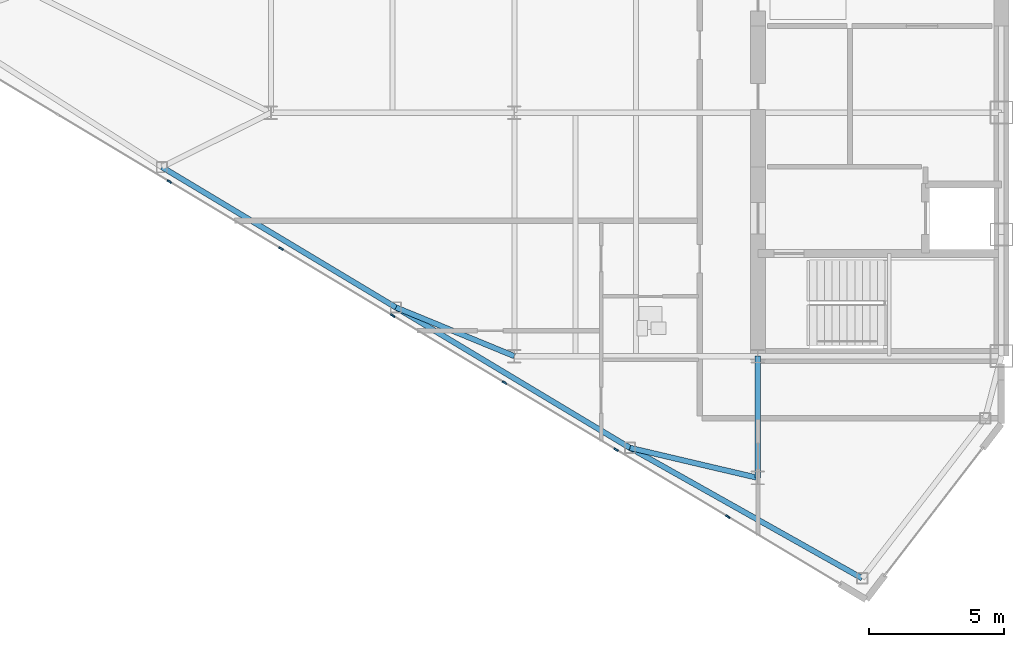
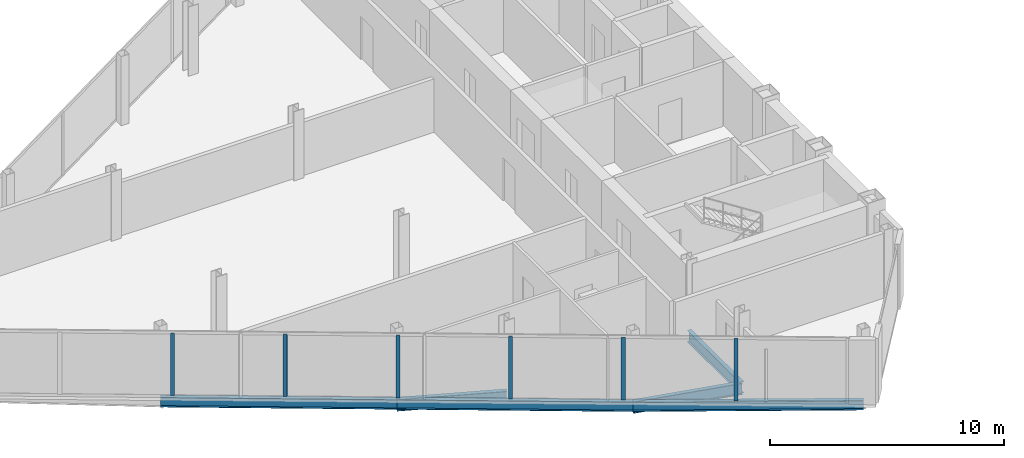
# One storey, part 5 of 25: 6 beams, 6 members, 1 element without a shape of its own.
"""IFC4 building model written with IfcOpenShell, lengths in metres."""

from ifc_helpers import new_model, si_unit, direction, frame, origin, origin_2d, place, context, subcontext, project, spatial, rectangle, i_section, extrude, source, transform, mapped, material, layer, layer_set, material_profile, profile_set, type_object, type_shapes, element, aggregate, save


model = new_model("IFC4")

# Units and contexts
model_context = context("Model", 3, precision=1e-05, world=origin(), true_north=direction((0.0, 1.0)))
body_context = subcontext(model_context, "Body", "Model", "MODEL_VIEW")
ifc_project = project(units=[si_unit("LENGTHUNIT", "METRE"), si_unit("AREAUNIT", "SQUARE_METRE"), si_unit("VOLUMEUNIT", "CUBIC_METRE"), si_unit("PLANEANGLEUNIT", "RADIAN"), si_unit("MASSUNIT", "GRAM", prefix="KILO")], contexts=[model_context])

# Site, building, storey
site_placement = place(None, origin())
site = spatial("IfcSite", under=ifc_project, at=site_placement, CompositionType="ELEMENT")
building_placement = place(site_placement, origin())
building = spatial("IfcBuilding", under=site, at=building_placement, Name="Seokmaru Belvedere", CompositionType="ELEMENT")
storey_placement = place(building_placement, frame((0.0, 0.0, 203.10009765625)))
storey = spatial("IfcBuildingStorey", under=building, at=storey_placement, Name="L54", CompositionType="ELEMENT", Elevation=203.10009765625)

# Beams
ifc_material_1 = material(Name="Steel SM355 (355 MPa)", Category="steel")
ifc_material_profile_1 = material_profile(ifc_material_1, i_section(OverallWidth=0.199951171875, OverallDepth=0.60009765625, WebThickness=0.010986328125, FlangeThickness=0.01708984375, at=origin_2d()), Name="H-600x200x11x17")
ifc_profile_set_1 = profile_set([ifc_material_profile_1], Name="Steel SM355 (355 MPa)")
beam_type_1 = type_object("IfcBeamType", Name="Primary Floor Girder H-600", PredefinedType="BEAM", material=ifc_profile_set_1)
shared_shape_1 = source(origin(), body_context, "Body", "SweptSolid", [
    extrude(i_section(OverallWidth=0.199951171875, OverallDepth=0.60009765625, WebThickness=0.010986328125, FlangeThickness=0.01708984375, at=origin_2d()), origin(), (0.0, 0.0, 1.0), 4.5),
])
beam_1_placement = place(storey_placement, frame((-36.5, -18.0, -0.52001953125), z_axis=(0.0, 1.0, 0.0), x_axis=(-1.0, 0.0, 0.0)))
element("IfcBeam", 1, at=beam_1_placement, inside=storey, type_object=beam_type_1, Name="L54 W Core Shoulder Girder S", PredefinedType="BEAM", context=body_context, shape_type="MappedRepresentation", body=[
    mapped(shared_shape_1, transform((0.0, 0.0, 0.0), scale=1.0)),
])
ifc_material_profile_2 = material_profile(ifc_material_1, i_section(OverallWidth=0.199951171875, OverallDepth=0.5, WebThickness=0.010009765625, FlangeThickness=0.01611328125, at=origin_2d()), Name="H-500x200x10x16")
ifc_profile_set_2 = profile_set([ifc_material_profile_2], Name="Steel SM355 (355 MPa)")
beam_type_2 = type_object("IfcBeamType", Name="Perimeter Spandrel Beam H-500", PredefinedType="SPANDREL", material=ifc_profile_set_2)
shared_shape_2 = source(origin(), body_context, "Body", "SweptSolid", [
    extrude(i_section(OverallWidth=0.199951171875, OverallDepth=0.5, WebThickness=0.010009765625, FlangeThickness=0.01611328125, at=origin_2d()), origin(), (0.0, 0.0, 1.0), 9.842041015625),
])
beam_2_placement = place(storey_placement, frame((-32.649658203125, -21.71044921875, -0.47021484375), z_axis=(-0.871782151818, 0.489893743349, 0.0), x_axis=(-0.489893743349, -0.871782151818, 0.0)))
element("IfcBeam", 2, at=beam_2_placement, inside=storey, type_object=beam_type_2, Name="L54 W Faceted Flank Spandrel S-1", PredefinedType="SPANDREL", context=body_context, shape_type="MappedRepresentation", body=[
    mapped(shared_shape_2, transform((0.0, 0.0, 0.0), scale=1.0)),
])
shared_shape_3 = source(origin(), body_context, "Body", "SweptSolid", [
    extrude(i_section(OverallWidth=0.199951171875, OverallDepth=0.5, WebThickness=0.010009765625, FlangeThickness=0.01611328125, at=origin_2d()), origin(), (0.0, 0.0, 1.0), 10.087646484375),
])
type_shapes(beam_type_2, [shared_shape_2, shared_shape_3])
for number, where, z_axis, x_axis, name in (
    (3, (-41.229736328125, -16.888916015625, -0.47021484375), (-0.857499332045, 0.514485078056, 0.0), (-0.514485078056, -0.857499332045, 0.0), "L54 W Faceted Flank Spandrel S-2"),
    (4, (-49.8798828125, -11.698974609375, -0.47021484375), (-0.857488654804, 0.514502873542, 0.0), (-0.514502873542, -0.857488654804, 0.0), "L54 W Faceted Flank Spandrel S-3"),
):
    element("IfcBeam", number, at=place(storey_placement, frame(where, z_axis=z_axis, x_axis=x_axis)), inside=storey, type_object=beam_type_2, Name=name, PredefinedType="SPANDREL", context=body_context, shape_type="MappedRepresentation", body=[
        mapped(shared_shape_3, transform((0.0, 0.0, 0.0), scale=1.0)),
    ])
shared_shape_4 = source(origin(), body_context, "Body", "SweptSolid", [
    extrude(i_section(OverallWidth=0.199951171875, OverallDepth=0.60009765625, WebThickness=0.010986328125, FlangeThickness=0.01708984375, at=origin_2d()), origin(), (0.0, 0.0, 1.0), 4.8583984375),
])
beam_3_placement = place(storey_placement, frame((-41.229736328125, -16.888916015625, -0.52001953125), z_axis=(0.97349948295, -0.228689214211, 0.0), x_axis=(0.228689214211, 0.97349948295, 0.0)))
element("IfcBeam", 5, at=beam_3_placement, inside=storey, type_object=beam_type_1, Name="L54 W Flank Radial Floor Girder S-1", PredefinedType="BEAM", context=body_context, shape_type="MappedRepresentation", body=[
    mapped(shared_shape_4, transform((0.0, 0.0, 0.0), scale=1.0)),
])
shared_shape_5 = source(origin(), body_context, "Body", "SweptSolid", [
    extrude(i_section(OverallWidth=0.199951171875, OverallDepth=0.60009765625, WebThickness=0.010986328125, FlangeThickness=0.01708984375, at=origin_2d()), origin(), (0.0, 0.0, 1.0), 4.73583984375),
])
type_shapes(beam_type_1, [shared_shape_1, shared_shape_4, shared_shape_5])
beam_4_placement = place(storey_placement, frame((-49.8798828125, -11.698974609375, -0.52001953125), z_axis=(0.924860562953, -0.380306375301, 0.0), x_axis=(0.380306375301, 0.924860562953, 0.0)))
element("IfcBeam", 6, at=beam_4_placement, inside=storey, type_object=beam_type_1, Name="L54 W Flank Radial Floor Girder S-2", PredefinedType="BEAM", context=body_context, shape_type="MappedRepresentation", body=[
    mapped(shared_shape_5, transform((0.0, 0.0, 0.0), scale=1.0)),
])

# Curtain wall, members
ifc_material_2 = material(Name="Bronze Triple Insulating Glass", Category="glass")
ifc_layer = layer(ifc_material_2, 0.179931640625)
ifc_layer_set = layer_set([ifc_layer], Name="Bronze Triple Insulating Glass")
curtain_wall_type = type_object("IfcCurtainWallType", Name="High-Rise Wind-Corner Curtain Wall System CW-5", PredefinedType="NOTDEFINED", material=ifc_layer_set)
curtain_wall_placement = place(storey_placement, origin())
curtain_wall = element("IfcCurtainWall", 7, at=curtain_wall_placement, inside=storey, type_object=curtain_wall_type, Name="L54 Curtain Wall WF5", PredefinedType="NOTDEFINED")
ifc_material_3 = material(Name="Anodised Bronze Aluminium", Category="aluminium")
ifc_material_profile_3 = material_profile(ifc_material_3, rectangle(XDim=0.06494140625, YDim=0.179931640625, at=origin_2d()), Name="CW-M-65x180")
ifc_profile_set_3 = profile_set([ifc_material_profile_3], Name="Anodised Bronze Aluminium")
member_type = type_object("IfcMemberType", Name="Bronze Unitised Mullion 65x180", PredefinedType="MULLION", material=ifc_profile_set_3)
shared_shape_6 = source(origin(), body_context, "Body", "SweptSolid", [
    extrude(rectangle(XDim=0.06494140625, YDim=0.179931640625, at=origin_2d()), origin(), (0.0, 0.0, 1.0), 3.25),
])
type_shapes(member_type, [shared_shape_6])
member_1_placement = place(storey_placement, frame((-58.257080078125, -7.0458984375, 0.06494140625), z_axis=(0.0, 0.0, 1.0), x_axis=(0.514494909364, 0.85749343335, 0.0)))
member_1 = element("IfcMember", 8, at=member_1_placement, type_object=member_type, Name="CW:L54:WF5 Mullion 3", PredefinedType="MULLION", context=body_context, shape_type="MappedRepresentation", body=[
    mapped(shared_shape_6, transform((0.0, 0.0, 0.0), scale=1.0)),
])
member_2_placement = place(storey_placement, frame((-54.12841796875, -9.52294921875, 0.06494140625), z_axis=(0.0, 0.0, 1.0), x_axis=(0.514494909364, 0.85749343335, 0.0)))
member_2 = element("IfcMember", 9, at=member_2_placement, type_object=member_type, Name="CW:L54:WF5 Mullion 4", PredefinedType="MULLION", context=body_context, shape_type="MappedRepresentation", body=[
    mapped(shared_shape_6, transform((0.0, 0.0, 0.0), scale=1.0)),
])
member_3_placement = place(storey_placement, frame((-50.0, -12.0, 0.06494140625), z_axis=(0.0, 0.0, 1.0), x_axis=(0.514494909364, 0.85749343335, 0.0)))
member_3 = element("IfcMember", 10, at=member_3_placement, type_object=member_type, Name="CW:L54:WF5 Mullion 5", PredefinedType="MULLION", context=body_context, shape_type="MappedRepresentation", body=[
    mapped(shared_shape_6, transform((0.0, 0.0, 0.0), scale=1.0)),
])
member_4_placement = place(storey_placement, frame((-45.87158203125, -14.47705078125, 0.06494140625), z_axis=(0.0, 0.0, 1.0), x_axis=(0.514494909364, 0.85749343335, 0.0)))
member_4 = element("IfcMember", 11, at=member_4_placement, type_object=member_type, Name="CW:L54:WF5 Mullion 6", PredefinedType="MULLION", context=body_context, shape_type="MappedRepresentation", body=[
    mapped(shared_shape_6, transform((0.0, 0.0, 0.0), scale=1.0)),
])
member_5_placement = place(storey_placement, frame((-41.742919921875, -16.9541015625, 0.06494140625), z_axis=(0.0, 0.0, 1.0), x_axis=(0.514494909364, 0.85749343335, 0.0)))
member_5 = element("IfcMember", 12, at=member_5_placement, type_object=member_type, Name="CW:L54:WF5 Mullion 7", PredefinedType="MULLION", context=body_context, shape_type="MappedRepresentation", body=[
    mapped(shared_shape_6, transform((0.0, 0.0, 0.0), scale=1.0)),
])
member_6_placement = place(storey_placement, frame((-37.614501953125, -19.43115234375, 0.06494140625), z_axis=(0.0, 0.0, 1.0), x_axis=(0.514494909364, 0.85749343335, 0.0)))
member_6 = element("IfcMember", 13, at=member_6_placement, type_object=member_type, Name="CW:L54:WF5 Mullion 8", PredefinedType="MULLION", context=body_context, shape_type="MappedRepresentation", body=[
    mapped(shared_shape_6, transform((0.0, 0.0, 0.0), scale=1.0)),
])
aggregate(curtain_wall, [member_1, member_2, member_3, member_4, member_5, member_6])

save(model, "model.ifc")
